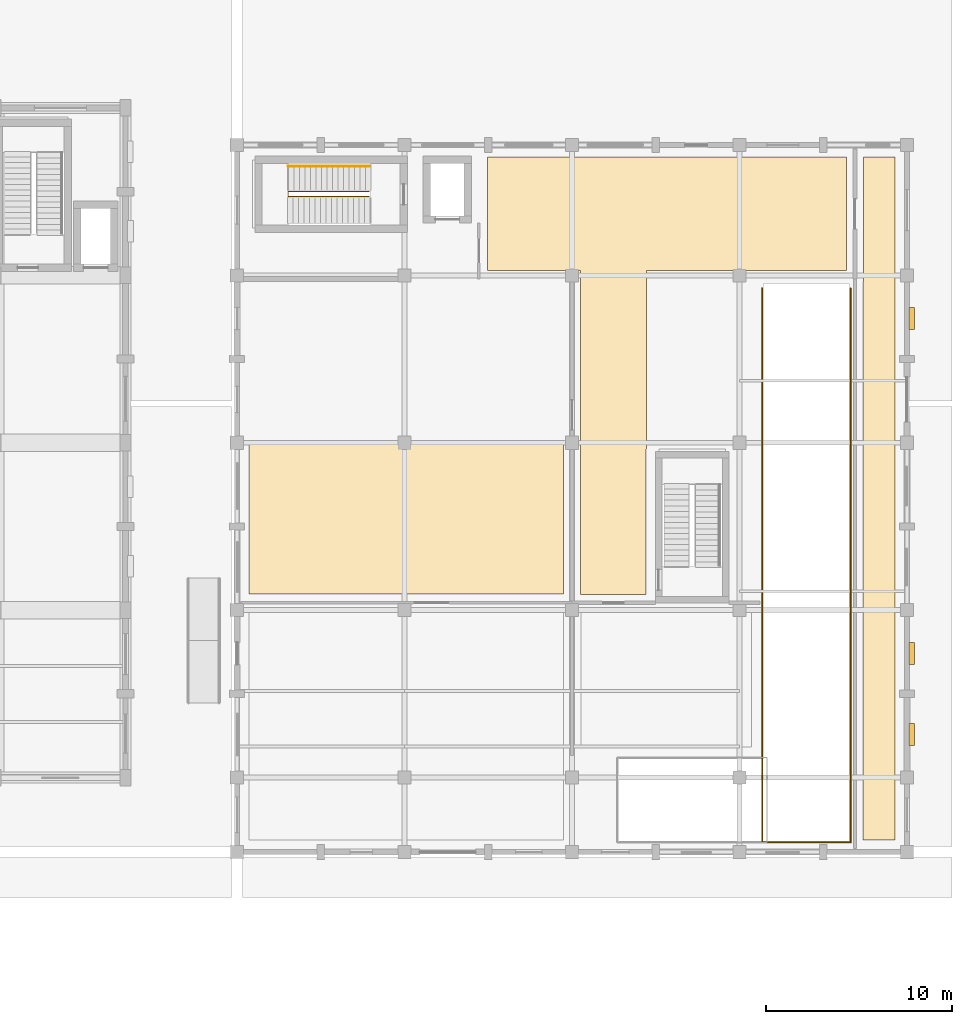
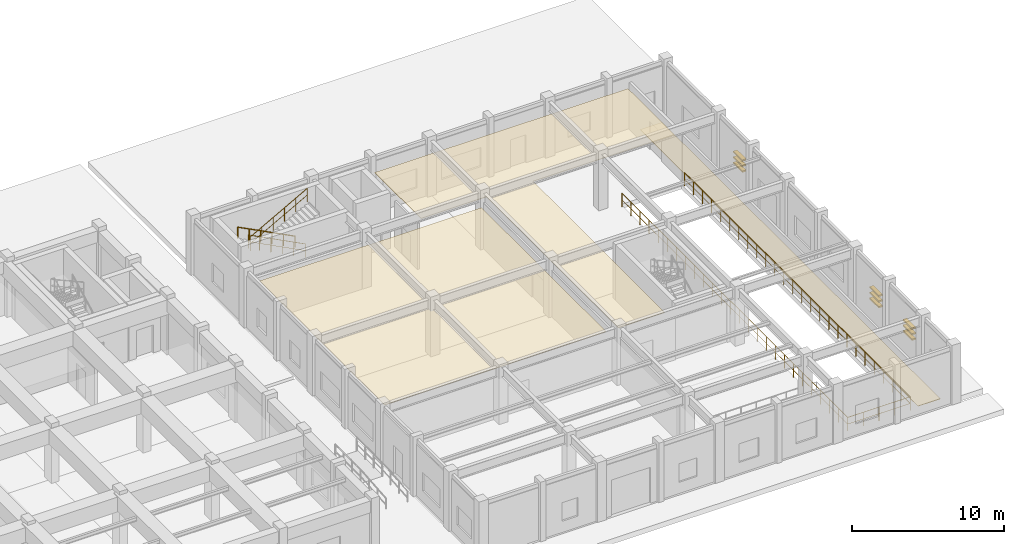
# One storey, part 46 of 47: 9 shading devices, 4 railings, 3 coverings.
"""IFC4 building model written with IfcOpenShell, lengths in metres."""

from ifc_helpers import new_model, si_unit, direction, frame, origin, origin_2d, place, context, subcontext, project, spatial, polyline, rectangle, circle, outline, extrude, material, layer, layer_set, type_object, element, save


model = new_model("IFC4")

# Units and contexts
model_context = context("Model", 3, precision=1e-05, world=origin(), true_north=direction((0.0, 1.0)))
body_context = subcontext(model_context, "Body", "Model", "MODEL_VIEW")
ifc_project = project(units=[si_unit("LENGTHUNIT", "METRE"), si_unit("AREAUNIT", "SQUARE_METRE"), si_unit("VOLUMEUNIT", "CUBIC_METRE"), si_unit("PLANEANGLEUNIT", "RADIAN"), si_unit("MASSUNIT", "GRAM", prefix="KILO")], contexts=[model_context])

# Site, building, storey
site_placement = place(None, origin())
site = spatial("IfcSite", under=ifc_project, at=site_placement, CompositionType="ELEMENT")
building_placement = place(site_placement, origin())
building = spatial("IfcBuilding", under=site, at=building_placement, Name="Ventoquebrada Cableway Terminal", CompositionType="ELEMENT")
storey_placement = place(building_placement, origin())
storey = spatial("IfcBuildingStorey", under=building, at=storey_placement, Name="L00", CompositionType="ELEMENT", Elevation=0.0)

# Coverings
ifc_material_1 = material(Name="Perforated acoustic aluminium baffle ceiling", Category="aluminium")
ifc_layer_1 = layer(ifc_material_1, 0.044921875)
ifc_layer_set_1 = layer_set([ifc_layer_1], Name="Perforated acoustic aluminium baffle ceiling")
covering_type_1 = type_object("IfcCoveringType", Name="COV-CL01", PredefinedType="CEILING", material=ifc_layer_set_1)
covering_1_placement = place(storey_placement, frame((0.0, 0.0, 3.617919921875)))
element("IfcCovering", 1, at=covering_1_placement, inside=storey, type_object=covering_type_1, Name="Acoustic baffle ceiling CL-15", PredefinedType="CEILING", context=body_context, shape_type="SweptSolid", body=[
    extrude(outline(polyline([(142.469970703125, 97.89208984375), (142.469970703125, 95.25), (147.449951171875, 95.25), (147.449951171875, 77.85009765625), (150.97998046875, 77.85009765625), (150.97998046875, 85.64208984375), (151.0, 85.68896484375), (151.0, 95.25), (161.75, 95.25), (161.75, 101.35009765625), (142.449951171875, 101.35009765625), (142.449951171875, 97.93896484375), (142.469970703125, 97.89208984375)])), origin(), (0.0, 0.0, 1.0), 0.045166015625),
])
covering_2_placement = place(storey_placement, frame((0.0, 0.0, 3.617919921875)))
element("IfcCovering", 2, at=covering_2_placement, inside=storey, type_object=covering_type_1, Name="Acoustic baffle ceiling CL-17", PredefinedType="CEILING", context=body_context, shape_type="SweptSolid", body=[
    extrude(outline(polyline([(129.64990234375, 77.8701171875), (146.530029296875, 77.8701171875), (146.530029296875, 94.330078125), (137.55810546875, 94.330078125), (137.51611328125, 94.347900390625), (129.64990234375, 94.35009765625), (129.64990234375, 77.8701171875)])), origin(), (0.0, 0.0, 1.0), 0.045166015625),
])
ifc_material_2 = material(Name="Honed volcanic basalt stone flooring", Category="masonry")
ifc_layer_2 = layer(ifc_material_2, 0.034912109375)
ifc_layer_set_2 = layer_set([ifc_layer_2], Name="Honed volcanic basalt stone flooring")
covering_type_2 = type_object("IfcCoveringType", Name="COV-FL01", PredefinedType="FLOORING", material=ifc_layer_set_2)
covering_3_placement = place(storey_placement, origin())
element("IfcCovering", 3, at=covering_3_placement, inside=storey, type_object=covering_type_2, Name="Honed basalt floor finish FL-01", PredefinedType="FLOORING", context=body_context, shape_type="SweptSolid", body=[
    extrude(outline(polyline([(164.35009765625, 64.64990234375), (164.35009765625, 101.35009765625), (162.669921875, 101.35009765625), (162.669921875, 94.7080078125), (162.64990234375, 94.660888671875), (162.64990234375, 64.64990234375), (164.35009765625, 64.64990234375)])), origin(), (0.0, 0.0, 1.0), 0.034912109375),
])

# Railings
ifc_material_3 = material(Name="Brushed stainless steel Grade 316", Category="steel")
railing_type_1 = type_object("IfcRailingType", Name="RL-GD01", PredefinedType="GUARDRAIL", material=ifc_material_3)
railing_1_placement = place(storey_placement, frame((136.10009765625, 99.510009765625, 0.14990234375)))
element("IfcRailing", 4, at=railing_1_placement, inside=storey, type_object=railing_type_1, Name="Stair well guardrail GR-S26", PredefinedType="GUARDRAIL", context=body_context, shape_type="SweptSolid", body=[
    extrude(circle(Radius=0.02392578125, at=origin_2d()), frame((-0.001708984375, 0.0, 1.096923828125), z_axis=(-0.888221851817, 0.0, 0.459414782038), x_axis=(0.0, -1.0, 0.0)), (0.0, 0.0, 1.0), 4.8935546875),
    extrude(circle(Radius=0.01611328125, at=origin_2d()), frame((-0.001708984375, 0.0, 0.56103515625), z_axis=(-0.888221851817, 0.0, 0.459414782038), x_axis=(0.0, -1.0, 0.0)), (0.0, 0.0, 1.0), 4.8935546875),
    extrude(circle(Radius=0.02392578125, at=origin_2d()), frame((-4.35009765625, -0.001953125, 3.34619140625), z_axis=(0.0, -1.0, 0.0), x_axis=(1.0, 0.0, 0.0)), (0.0, 0.0, 1.0), 0.276123046875),
    extrude(circle(Radius=0.01611328125, at=origin_2d()), frame((-4.35009765625, -0.001953125, 2.81005859375), z_axis=(0.0, -1.0, 0.0), x_axis=(1.0, 0.0, 0.0)), (0.0, 0.0, 1.0), 0.276123046875),
    extrude(circle(Radius=0.02392578125, at=origin_2d()), frame((-4.348388671875, -0.280029296875, 3.346923828125), z_axis=(0.875569800069, 0.0, 0.483091632309), x_axis=(0.0, 1.0, 0.0)), (0.0, 0.0, 1.0), 4.96435546875),
    extrude(circle(Radius=0.01611328125, at=origin_2d()), frame((-4.348388671875, -0.280029296875, 2.81103515625), z_axis=(0.875569800069, 0.0, 0.483091632309), x_axis=(0.0, 1.0, 0.0)), (0.0, 0.0, 1.0), 4.96435546875),
    extrude(circle(Radius=0.02099609375, at=origin_2d()), origin(), (0.0, 0.0, 1.0), 1.072021484375),
    extrude(circle(Radius=0.02099609375, at=origin_2d()), frame((-0.8701171875, 0.0, 0.449951171875)), (0.0, 0.0, 1.0), 1.072021484375),
    extrude(circle(Radius=0.02099609375, at=origin_2d()), frame((-1.739990234375, 0.0, 0.89990234375)), (0.0, 0.0, 1.0), 1.072021484375),
    extrude(circle(Radius=0.02099609375, at=origin_2d()), frame((-2.610107421875, 0.0, 1.35009765625)), (0.0, 0.0, 1.0), 1.072021484375),
    extrude(circle(Radius=0.02099609375, at=origin_2d()), frame((-3.47998046875, 0.0, 1.800048828125)), (0.0, 0.0, 1.0), 1.072021484375),
    extrude(circle(Radius=0.02099609375, at=origin_2d()), frame((-4.35009765625, 0.0, 2.25)), (0.0, 0.0, 1.0), 1.072021484375),
    extrude(circle(Radius=0.02099609375, at=origin_2d()), frame((-4.35009765625, -0.280029296875, 2.25)), (0.0, 0.0, 1.0), 1.072021484375),
    extrude(circle(Radius=0.02099609375, at=origin_2d()), frame((-3.47998046875, -0.280029296875, 2.72998046875)), (0.0, 0.0, 1.0), 1.072021484375),
    extrude(circle(Radius=0.02099609375, at=origin_2d()), frame((-2.610107421875, -0.280029296875, 3.2099609375)), (0.0, 0.0, 1.0), 1.072021484375),
    extrude(circle(Radius=0.02099609375, at=origin_2d()), frame((-1.739990234375, -0.280029296875, 3.690185546875)), (0.0, 0.0, 1.0), 1.072021484375),
    extrude(circle(Radius=0.02099609375, at=origin_2d()), frame((-0.8701171875, -0.280029296875, 4.170166015625)), (0.0, 0.0, 1.0), 1.072021484375),
    extrude(circle(Radius=0.02099609375, at=origin_2d()), frame((0.0, -0.280029296875, 4.650146484375)), (0.0, 0.0, 1.0), 1.072021484375),
])
railing_2_placement = place(storey_placement, frame((161.97998046875, 64.52001953125, 0.0)))
element("IfcRailing", 5, at=railing_2_placement, inside=storey, type_object=railing_type_1, Name="Ramp void guardrail GR-V066", PredefinedType="GUARDRAIL", context=body_context, shape_type="SweptSolid", body=[
    extrude(circle(Radius=0.02392578125, at=origin_2d()), frame((-0.001953125, 0.0, 1.09619140625), z_axis=(-1.0, 0.0, 0.0), x_axis=(0.0, -1.0, 0.0)), (0.0, 0.0, 1.0), 4.756103515625),
    extrude(circle(Radius=0.01611328125, at=origin_2d()), frame((-0.001953125, 0.0, 0.56005859375), z_axis=(-1.0, 0.0, 0.0), x_axis=(0.0, -1.0, 0.0)), (0.0, 0.0, 1.0), 4.756103515625),
    extrude(circle(Radius=0.02392578125, at=origin_2d()), frame((-4.760009765625, 0.001953125, 1.09619140625), z_axis=(0.0, 1.0, 0.0), x_axis=(-1.0, 0.0, 0.0)), (0.0, 0.0, 1.0), 29.776123046875),
    extrude(circle(Radius=0.01611328125, at=origin_2d()), frame((-4.760009765625, 0.001953125, 0.56005859375), z_axis=(0.0, 1.0, 0.0), x_axis=(-1.0, 0.0, 0.0)), (0.0, 0.0, 1.0), 29.776123046875),
    extrude(circle(Radius=0.02099609375, at=origin_2d()), origin(), (0.0, 0.0, 1.0), 1.072021484375),
    extrude(circle(Radius=0.02099609375, at=origin_2d()), frame((-1.18994140625, 0.0, 0.0)), (0.0, 0.0, 1.0), 1.072021484375),
    extrude(circle(Radius=0.02099609375, at=origin_2d()), frame((-2.3798828125, 0.0, 0.0)), (0.0, 0.0, 1.0), 1.072021484375),
    extrude(circle(Radius=0.02099609375, at=origin_2d()), frame((-3.570068359375, 0.0, 0.0)), (0.0, 0.0, 1.0), 1.072021484375),
    extrude(circle(Radius=0.02099609375, at=origin_2d()), frame((-4.760009765625, 0.0, 0.0)), (0.0, 0.0, 1.0), 1.072021484375),
    extrude(circle(Radius=0.02099609375, at=origin_2d()), frame((-4.760009765625, 1.191162109375, 0.0)), (0.0, 0.0, 1.0), 1.072021484375),
    extrude(circle(Radius=0.02099609375, at=origin_2d()), frame((-4.760009765625, 2.38232421875, 0.0)), (0.0, 0.0, 1.0), 1.072021484375),
    extrude(circle(Radius=0.02099609375, at=origin_2d()), frame((-4.760009765625, 3.573486328125, 0.0)), (0.0, 0.0, 1.0), 1.072021484375),
    extrude(circle(Radius=0.02099609375, at=origin_2d()), frame((-4.760009765625, 4.764892578125, 0.0)), (0.0, 0.0, 1.0), 1.072021484375),
    extrude(circle(Radius=0.02099609375, at=origin_2d()), frame((-4.760009765625, 5.9560546875, 0.0)), (0.0, 0.0, 1.0), 1.072021484375),
    extrude(circle(Radius=0.02099609375, at=origin_2d()), frame((-4.760009765625, 7.147216796875, 0.0)), (0.0, 0.0, 1.0), 1.072021484375),
    extrude(circle(Radius=0.02099609375, at=origin_2d()), frame((-4.760009765625, 8.33837890625, 0.0)), (0.0, 0.0, 1.0), 1.072021484375),
    extrude(circle(Radius=0.02099609375, at=origin_2d()), frame((-4.760009765625, 9.529541015625, 0.0)), (0.0, 0.0, 1.0), 1.072021484375),
    extrude(circle(Radius=0.02099609375, at=origin_2d()), frame((-4.760009765625, 10.720703125, 0.0)), (0.0, 0.0, 1.0), 1.072021484375),
    extrude(circle(Radius=0.02099609375, at=origin_2d()), frame((-4.760009765625, 11.912109375, 0.0)), (0.0, 0.0, 1.0), 1.072021484375),
    extrude(circle(Radius=0.02099609375, at=origin_2d()), frame((-4.760009765625, 13.103271484375, 0.0)), (0.0, 0.0, 1.0), 1.072021484375),
    extrude(circle(Radius=0.02099609375, at=origin_2d()), frame((-4.760009765625, 14.29443359375, 0.0)), (0.0, 0.0, 1.0), 1.072021484375),
    extrude(circle(Radius=0.02099609375, at=origin_2d()), frame((-4.760009765625, 15.485595703125, 0.0)), (0.0, 0.0, 1.0), 1.072021484375),
    extrude(circle(Radius=0.02099609375, at=origin_2d()), frame((-4.760009765625, 16.6767578125, 0.0)), (0.0, 0.0, 1.0), 1.072021484375),
    extrude(circle(Radius=0.02099609375, at=origin_2d()), frame((-4.760009765625, 17.867919921875, 0.0)), (0.0, 0.0, 1.0), 1.072021484375),
    extrude(circle(Radius=0.02099609375, at=origin_2d()), frame((-4.760009765625, 19.059326171875, 0.0)), (0.0, 0.0, 1.0), 1.072021484375),
    extrude(circle(Radius=0.02099609375, at=origin_2d()), frame((-4.760009765625, 20.25048828125, 0.0)), (0.0, 0.0, 1.0), 1.072021484375),
    extrude(circle(Radius=0.02099609375, at=origin_2d()), frame((-4.760009765625, 21.441650390625, 0.0)), (0.0, 0.0, 1.0), 1.072021484375),
    extrude(circle(Radius=0.02099609375, at=origin_2d()), frame((-4.760009765625, 22.6328125, 0.0)), (0.0, 0.0, 1.0), 1.072021484375),
    extrude(circle(Radius=0.02099609375, at=origin_2d()), frame((-4.760009765625, 23.823974609375, 0.0)), (0.0, 0.0, 1.0), 1.072021484375),
    extrude(circle(Radius=0.02099609375, at=origin_2d()), frame((-4.760009765625, 25.01513671875, 0.0)), (0.0, 0.0, 1.0), 1.072021484375),
    extrude(circle(Radius=0.02099609375, at=origin_2d()), frame((-4.760009765625, 26.20654296875, 0.0)), (0.0, 0.0, 1.0), 1.072021484375),
    extrude(circle(Radius=0.02099609375, at=origin_2d()), frame((-4.760009765625, 27.397705078125, 0.0)), (0.0, 0.0, 1.0), 1.072021484375),
    extrude(circle(Radius=0.02099609375, at=origin_2d()), frame((-4.760009765625, 28.5888671875, 0.0)), (0.0, 0.0, 1.0), 1.072021484375),
    extrude(circle(Radius=0.02099609375, at=origin_2d()), frame((-4.760009765625, 29.780029296875, 0.0)), (0.0, 0.0, 1.0), 1.072021484375),
])
railing_3_placement = place(storey_placement, frame((161.97998046875, 94.300048828125, 0.0)))
element("IfcRailing", 6, at=railing_3_placement, inside=storey, type_object=railing_type_1, Name="Ramp void guardrail GR-V067", PredefinedType="GUARDRAIL", context=body_context, shape_type="SweptSolid", body=[
    extrude(circle(Radius=0.02392578125, at=origin_2d()), frame((0.0, -0.001953125, 1.09619140625), z_axis=(0.0, -1.0, 0.0), x_axis=(1.0, 0.0, 0.0)), (0.0, 0.0, 1.0), 29.776123046875),
    extrude(circle(Radius=0.01611328125, at=origin_2d()), frame((0.0, -0.001953125, 0.56005859375), z_axis=(0.0, -1.0, 0.0), x_axis=(1.0, 0.0, 0.0)), (0.0, 0.0, 1.0), 29.776123046875),
    extrude(circle(Radius=0.02099609375, at=origin_2d()), origin(), (0.0, 0.0, 1.0), 1.072021484375),
    extrude(circle(Radius=0.02099609375, at=origin_2d()), frame((0.0, -1.191162109375, 0.0)), (0.0, 0.0, 1.0), 1.072021484375),
    extrude(circle(Radius=0.02099609375, at=origin_2d()), frame((0.0, -2.38232421875, 0.0)), (0.0, 0.0, 1.0), 1.072021484375),
    extrude(circle(Radius=0.02099609375, at=origin_2d()), frame((0.0, -3.573486328125, 0.0)), (0.0, 0.0, 1.0), 1.072021484375),
    extrude(circle(Radius=0.02099609375, at=origin_2d()), frame((0.0, -4.764892578125, 0.0)), (0.0, 0.0, 1.0), 1.072021484375),
    extrude(circle(Radius=0.02099609375, at=origin_2d()), frame((0.0, -5.9560546875, 0.0)), (0.0, 0.0, 1.0), 1.072021484375),
    extrude(circle(Radius=0.02099609375, at=origin_2d()), frame((0.0, -7.147216796875, 0.0)), (0.0, 0.0, 1.0), 1.072021484375),
    extrude(circle(Radius=0.02099609375, at=origin_2d()), frame((0.0, -8.33837890625, 0.0)), (0.0, 0.0, 1.0), 1.072021484375),
    extrude(circle(Radius=0.02099609375, at=origin_2d()), frame((0.0, -9.529541015625, 0.0)), (0.0, 0.0, 1.0), 1.072021484375),
    extrude(circle(Radius=0.02099609375, at=origin_2d()), frame((0.0, -10.720703125, 0.0)), (0.0, 0.0, 1.0), 1.072021484375),
    extrude(circle(Radius=0.02099609375, at=origin_2d()), frame((0.0, -11.912109375, 0.0)), (0.0, 0.0, 1.0), 1.072021484375),
    extrude(circle(Radius=0.02099609375, at=origin_2d()), frame((0.0, -13.103271484375, 0.0)), (0.0, 0.0, 1.0), 1.072021484375),
    extrude(circle(Radius=0.02099609375, at=origin_2d()), frame((0.0, -14.29443359375, 0.0)), (0.0, 0.0, 1.0), 1.072021484375),
    extrude(circle(Radius=0.02099609375, at=origin_2d()), frame((0.0, -15.485595703125, 0.0)), (0.0, 0.0, 1.0), 1.072021484375),
    extrude(circle(Radius=0.02099609375, at=origin_2d()), frame((0.0, -16.6767578125, 0.0)), (0.0, 0.0, 1.0), 1.072021484375),
    extrude(circle(Radius=0.02099609375, at=origin_2d()), frame((0.0, -17.867919921875, 0.0)), (0.0, 0.0, 1.0), 1.072021484375),
    extrude(circle(Radius=0.02099609375, at=origin_2d()), frame((0.0, -19.059326171875, 0.0)), (0.0, 0.0, 1.0), 1.072021484375),
    extrude(circle(Radius=0.02099609375, at=origin_2d()), frame((0.0, -20.25048828125, 0.0)), (0.0, 0.0, 1.0), 1.072021484375),
    extrude(circle(Radius=0.02099609375, at=origin_2d()), frame((0.0, -21.441650390625, 0.0)), (0.0, 0.0, 1.0), 1.072021484375),
    extrude(circle(Radius=0.02099609375, at=origin_2d()), frame((0.0, -22.6328125, 0.0)), (0.0, 0.0, 1.0), 1.072021484375),
    extrude(circle(Radius=0.02099609375, at=origin_2d()), frame((0.0, -23.823974609375, 0.0)), (0.0, 0.0, 1.0), 1.072021484375),
    extrude(circle(Radius=0.02099609375, at=origin_2d()), frame((0.0, -25.01513671875, 0.0)), (0.0, 0.0, 1.0), 1.072021484375),
    extrude(circle(Radius=0.02099609375, at=origin_2d()), frame((0.0, -26.20654296875, 0.0)), (0.0, 0.0, 1.0), 1.072021484375),
    extrude(circle(Radius=0.02099609375, at=origin_2d()), frame((0.0, -27.397705078125, 0.0)), (0.0, 0.0, 1.0), 1.072021484375),
    extrude(circle(Radius=0.02099609375, at=origin_2d()), frame((0.0, -28.5888671875, 0.0)), (0.0, 0.0, 1.0), 1.072021484375),
    extrude(circle(Radius=0.02099609375, at=origin_2d()), frame((0.0, -29.780029296875, 0.0)), (0.0, 0.0, 1.0), 1.072021484375),
])
railing_type_2 = type_object("IfcRailingType", Name="RL-HR01", PredefinedType="HANDRAIL", material=ifc_material_3)
railing_4_placement = place(storey_placement, frame((136.10009765625, 100.8701171875, 0.14990234375)))
element("IfcRailing", 7, at=railing_4_placement, inside=storey, type_object=railing_type_2, Name="Stair wall handrail HR-S26", PredefinedType="HANDRAIL", context=body_context, shape_type="SweptSolid", body=[
    extrude(circle(Radius=0.02392578125, at=origin_2d()), frame((-0.001708984375, 0.0, 0.896728515625), z_axis=(-0.888221851817, 0.0, 0.459414782038), x_axis=(0.0, -1.0, 0.0)), (0.0, 0.0, 1.0), 4.8935546875),
    extrude(circle(Radius=0.02099609375, at=origin_2d()), origin(), (0.0, 0.0, 1.0), 0.871826171875),
    extrude(circle(Radius=0.02099609375, at=origin_2d()), frame((-0.8701171875, 0.0, 0.449951171875)), (0.0, 0.0, 1.0), 0.871826171875),
    extrude(circle(Radius=0.02099609375, at=origin_2d()), frame((-1.739990234375, 0.0, 0.89990234375)), (0.0, 0.0, 1.0), 0.871826171875),
    extrude(circle(Radius=0.02099609375, at=origin_2d()), frame((-2.610107421875, 0.0, 1.35009765625)), (0.0, 0.0, 1.0), 0.871826171875),
    extrude(circle(Radius=0.02099609375, at=origin_2d()), frame((-3.47998046875, 0.0, 1.800048828125)), (0.0, 0.0, 1.0), 0.871826171875),
    extrude(circle(Radius=0.02099609375, at=origin_2d()), frame((-4.35009765625, 0.0, 2.25)), (0.0, 0.0, 1.0), 0.871826171875),
])

# Shading devices
ifc_material_4 = material(Name="Anodized thermally-broken aluminium", Category="aluminium")
shading_device_type = type_object("IfcShadingDeviceType", Name="SHD-JL1", PredefinedType="JALOUSIE", material=ifc_material_4)
for number, where, z_axis, x_axis, name in (
    (8, (165.27001953125, 70.324951171875, 1.33984375), (0.0, 0.0, 1.0), (0.0, 1.0, 0.0), "Plant ventilation louvre bank LV-013"),
    (9, (165.27001953125, 70.324951171875, 1.7900390625), (0.0, 0.0, 1.0), (0.0, 1.0, 0.0), "Plant ventilation louvre bank LV-014"),
    (10, (165.27001953125, 70.324951171875, 2.239990234375), (0.0, 0.0, 1.0), (0.0, 1.0, 0.0), "Plant ventilation louvre bank LV-015"),
    (11, (165.25, 74.675048828125, 1.33984375), (0.0, 0.0, 1.0), (0.0, 1.0, 0.0), "Plant ventilation louvre bank LV-016"),
    (12, (165.25, 74.675048828125, 1.7900390625), (0.0, 0.0, 1.0), (0.0, 1.0, 0.0), "Plant ventilation louvre bank LV-017"),
    (13, (165.25, 74.675048828125, 2.239990234375), (0.0, 0.0, 1.0), (0.0, 1.0, 0.0), "Plant ventilation louvre bank LV-018"),
    (14, (165.25, 92.675048828125, 1.33984375), (0.0, 0.0, 1.0), (0.0, 1.0, 0.0), "Plant ventilation louvre bank LV-019"),
    (15, (165.25, 92.675048828125, 1.7900390625), (0.0, 0.0, 1.0), (0.0, 1.0, 0.0), "Plant ventilation louvre bank LV-020"),
    (16, (165.25, 92.675048828125, 2.239990234375), (0.0, 0.0, 1.0), (0.0, 1.0, 0.0), "Plant ventilation louvre bank LV-021"),
):
    element("IfcShadingDevice", number, at=place(storey_placement, frame(where, z_axis=z_axis, x_axis=x_axis)), inside=storey, type_object=shading_device_type, Name=name, PredefinedType="JALOUSIE", context=body_context, shape_type="SweptSolid", body=[
        extrude(rectangle(XDim=1.18798828125, YDim=0.300048828125, at=origin_2d()), origin(), (0.0, 0.0, 1.0), 0.1201171875),
    ])

save(model, "model.ifc")
